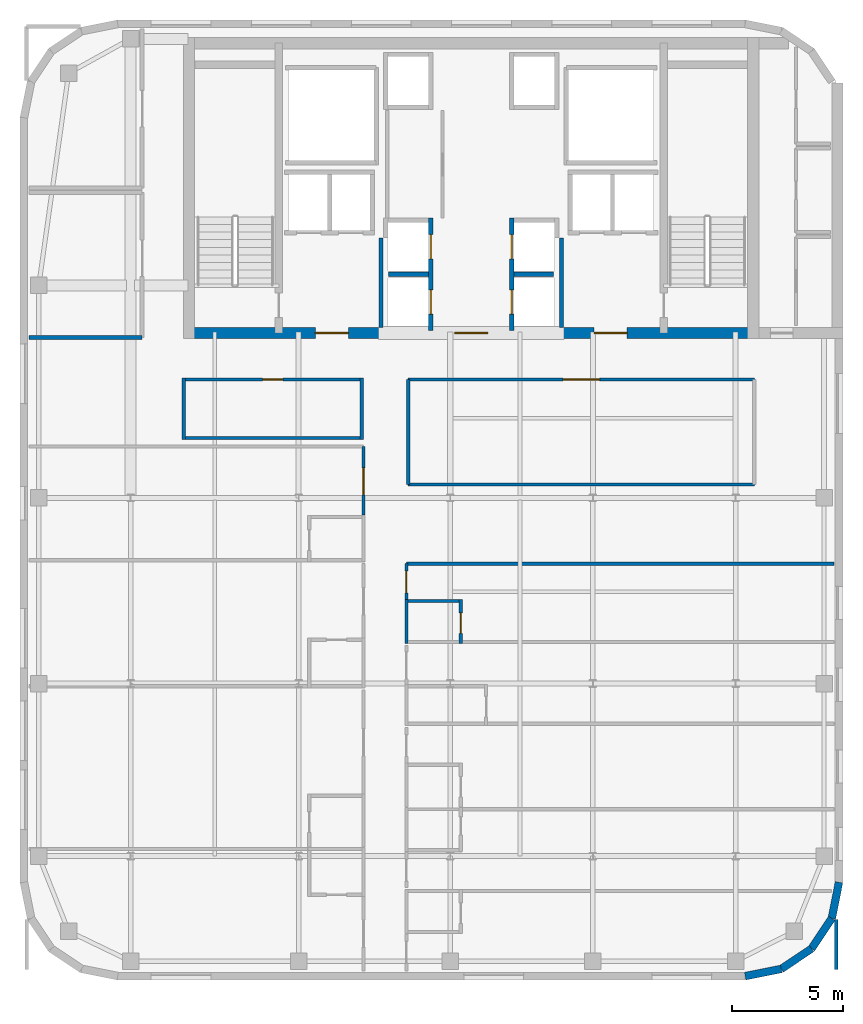
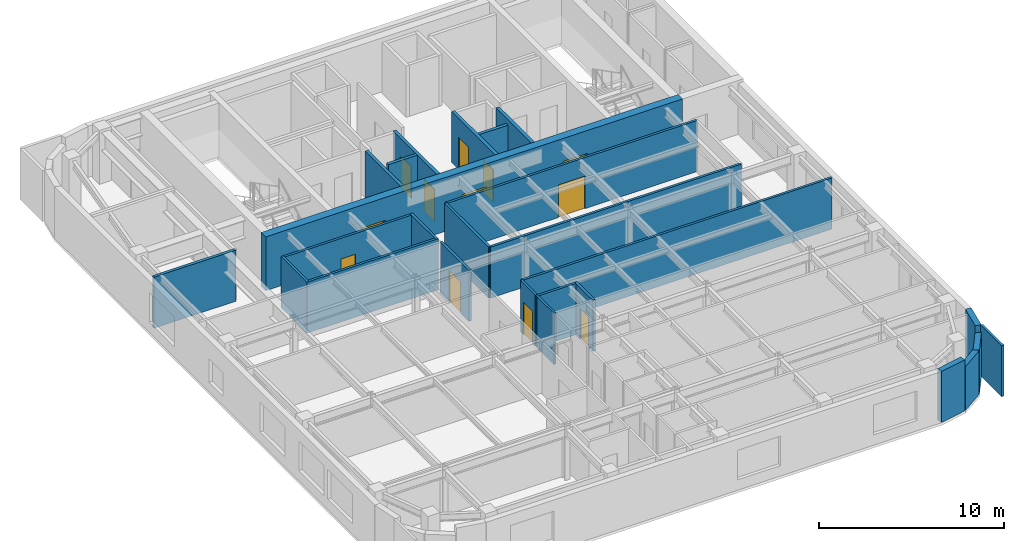
# One storey, part 5 of 9: 26 walls, 12 doors, 12 openings.
"""IFC4 building model written with IfcOpenShell, lengths in metres."""

from ifc_helpers import new_model, si_unit, direction, frame, frame_2d, origin, place, context, subcontext, project, spatial, rectangle, extrude, source, transform, mapped, material, layer, layer_set, type_object, type_shapes, element, fill, save


model = new_model("IFC4")

# Units and contexts
model_context = context("Model", 3, precision=1e-05, world=origin(), true_north=direction((0.0, 1.0)))
body_context = subcontext(model_context, "Body", "Model", "MODEL_VIEW")
ifc_project = project(units=[si_unit("LENGTHUNIT", "METRE"), si_unit("AREAUNIT", "SQUARE_METRE"), si_unit("VOLUMEUNIT", "CUBIC_METRE"), si_unit("PLANEANGLEUNIT", "RADIAN"), si_unit("MASSUNIT", "GRAM", prefix="KILO")], contexts=[model_context])

# Site, building, storey
site_placement = place(None, origin())
site = spatial("IfcSite", under=ifc_project, at=site_placement, CompositionType="ELEMENT")
building_placement = place(site_placement, origin())
building = spatial("IfcBuilding", under=site, at=building_placement, Name="Tolvann Quenvar Hotel", CompositionType="ELEMENT")
storey_placement = place(building_placement, frame((0.0, 0.0, 209.699951171875)))
storey = spatial("IfcBuildingStorey", under=building, at=storey_placement, Name="L55", CompositionType="ELEMENT", Elevation=209.699951171875)

# Wall, openings, doors
ifc_material_1 = material(Name="Concrete N50 (50 MPa)", Category="concrete")
ifc_layer_1 = layer(ifc_material_1, 0.5)
ifc_layer_set_1 = layer_set([ifc_layer_1], Name="Concrete N50 (50 MPa)")
wall_type_1 = type_object("IfcWallType", Name="WALL_CORE_500", PredefinedType="SHEAR", material=ifc_layer_set_1)
wall_1_placement = place(storey_placement, frame((10.0, 31.85009765625, 0.0), z_axis=(0.0, 0.0, 1.0), x_axis=(1.0, 0.0, 0.0)))
wall_1 = element("IfcWall", 1, at=wall_1_placement, inside=storey, type_object=wall_type_1, Name="Rear Core S Shear Wall (L55)", PredefinedType="SHEAR", context=body_context, shape_type="SweptSolid", body=[
    extrude(rectangle(XDim=26.0, YDim=0.5, at=frame_2d((13.0, 0.0))), origin(), (0.0, 0.0, 1.0), 3.550048828125),
])
opening_1_placement = place(wall_1_placement, frame((7.449951171875, 0.0, 0.0), z_axis=(0.0, 0.0, 1.0), x_axis=(-1.0, 0.0, 0.0)))
opening_1 = element("IfcOpeningElement", 2, at=opening_1_placement, cuts=wall_1, Name="Opening FD-60D", PredefinedType="OPENING", context=body_context, shape_type="SweptSolid", body=[
    extrude(rectangle(XDim=1.5, YDim=2.0400390625, at=frame_2d((0.75, 1.02001953125))), frame((0.0, 0.260009765625, 0.0), z_axis=(0.0, -1.0, 0.0), x_axis=(1.0, 0.0, 0.0)), (0.0, 0.0, 1.0), 0.52001953125),
])
opening_2_placement = place(wall_1_placement, frame((13.75, 0.0, 0.0), z_axis=(0.0, 0.0, 1.0), x_axis=(-1.0, 0.0, 0.0)))
opening_2 = element("IfcOpeningElement", 3, at=opening_2_placement, cuts=wall_1, Name="Opening FD-60D", PredefinedType="OPENING", context=body_context, shape_type="SweptSolid", body=[
    extrude(rectangle(XDim=1.5, YDim=2.0400390625, at=frame_2d((0.75, 1.02001953125))), frame((0.0, 0.260009765625, 0.0), z_axis=(0.0, -1.0, 0.0), x_axis=(1.0, 0.0, 0.0)), (0.0, 0.0, 1.0), 0.52001953125),
])
opening_3_placement = place(wall_1_placement, frame((20.050048828125, 0.0, 0.0), z_axis=(0.0, 0.0, 1.0), x_axis=(-1.0, 0.0, 0.0)))
opening_3 = element("IfcOpeningElement", 4, at=opening_3_placement, cuts=wall_1, Name="Opening FD-60D", PredefinedType="OPENING", context=body_context, shape_type="SweptSolid", body=[
    extrude(rectangle(XDim=1.5, YDim=2.0400390625, at=frame_2d((0.75, 1.02001953125))), frame((0.0, 0.260009765625, 0.0), z_axis=(0.0, -1.0, 0.0), x_axis=(1.0, 0.0, 0.0)), (0.0, 0.0, 1.0), 0.52001953125),
])
ifc_material_2 = material(Name="Solid-core American oak acoustic fire door leaf in steel frame", Category="steel")
door_type_1 = type_object("IfcDoorType", Name="DOOR_FIRE_LOBBY_1500", OperationType="NOTDEFINED", PredefinedType="DOOR", material=ifc_material_2)
shared_shape_1 = source(origin(), body_context, "Body", "SweptSolid", [
    extrude(rectangle(XDim=1.5, YDim=2.0400390625, at=frame_2d((0.75, 1.02001953125))), frame((0.0, 0.02490234375, 0.0), z_axis=(0.0, -1.0, 0.0), x_axis=(1.0, 0.0, 0.0)), (0.0, 0.0, 1.0), 0.050048828125),
])
type_shapes(door_type_1, [shared_shape_1])
door_1_placement = place(opening_1_placement, origin())
door_1 = element("IfcDoor", 5, at=door_1_placement, inside=storey, type_object=door_type_1, Name="Core Lobby Fire Door FFW (L55)", OperationType="DOUBLE_DOOR_SINGLE_SWING", OverallHeight=2.0400390625, OverallWidth=1.5, PredefinedType="DOOR", context=body_context, shape_type="MappedRepresentation", body=[
    mapped(shared_shape_1, transform((0.0, 0.0, 0.0), x_axis=(1.0, 0.0, 0.0), y_axis=(0.0, 1.0, 0.0), z_axis=(0.0, 0.0, 1.0), scale=1.0)),
])
fill(opening_1, door_1)
door_2_placement = place(opening_2_placement, origin())
door_2 = element("IfcDoor", 6, at=door_2_placement, inside=storey, type_object=door_type_1, Name="Core Lobby Fire Door CLOB (L55)", OperationType="DOUBLE_DOOR_SINGLE_SWING", OverallHeight=2.0400390625, OverallWidth=1.5, PredefinedType="DOOR", context=body_context, shape_type="MappedRepresentation", body=[
    mapped(shared_shape_1, transform((0.0, 0.0, 0.0), x_axis=(1.0, 0.0, 0.0), y_axis=(0.0, 1.0, 0.0), z_axis=(0.0, 0.0, 1.0), scale=1.0)),
])
fill(opening_2, door_2)
door_3_placement = place(opening_3_placement, origin())
door_3 = element("IfcDoor", 7, at=door_3_placement, inside=storey, type_object=door_type_1, Name="Core Lobby Fire Door FFE (L55)", OperationType="DOUBLE_DOOR_SINGLE_SWING", OverallHeight=2.0400390625, OverallWidth=1.5, PredefinedType="DOOR", context=body_context, shape_type="MappedRepresentation", body=[
    mapped(shared_shape_1, transform((0.0, 0.0, 0.0), x_axis=(1.0, 0.0, 0.0), y_axis=(0.0, 1.0, 0.0), z_axis=(0.0, 0.0, 1.0), scale=1.0)),
])
fill(opening_3, door_3)

# Walls
ifc_material_3 = material(Name="Kiln-fired red and buff architectural clay brickwork and terracotta masonry", Category="masonry")
ifc_layer_2 = layer(ifc_material_3, 0.35009765625)
ifc_layer_set_2 = layer_set([ifc_layer_2], Name="Kiln-fired red and buff architectural clay brickwork and terracotta masonry")
wall_type_2 = type_object("IfcWallType", Name="WALL_EXT_BRICK_350", PredefinedType="SOLIDWALL", material=ifc_layer_set_2)
wall_2_placement = place(storey_placement, frame((35.3828125, 2.77490234375, 0.0), z_axis=(0.0, 0.0, 1.0), x_axis=(0.980788844421, 0.195072403631, 0.0)))
element("IfcWall", 8, at=wall_2_placement, inside=storey, type_object=wall_type_2, Name="Exterior Chicago Brick Wall L55-E05", PredefinedType="SOLIDWALL", context=body_context, shape_type="SweptSolid", body=[
    extrude(rectangle(XDim=1.66455078125, YDim=0.35009765625, at=frame_2d((0.832275390625, 0.0))), origin(), (0.0, 0.0, 1.0), 3.3701171875),
])
for number, where, z_axis, x_axis, name in (
    (9, (37.015380859375, 3.099609375, 0.0), (0.0, 0.0, 1.0), (0.831434158098, 0.555623290322, 0.0), "Exterior Chicago Brick Wall L55-E06"),
    (10, (38.385009765625, 4.014892578125, 0.0), (0.0, 0.0, 1.0), (0.555623290322, 0.831434158098, 0.0), "Exterior Chicago Brick Wall L55-E07"),
):
    element("IfcWall", number, at=place(storey_placement, frame(where, z_axis=z_axis, x_axis=x_axis)), inside=storey, type_object=wall_type_2, Name=name, PredefinedType="SOLIDWALL", context=body_context, shape_type="SweptSolid", body=[
        extrude(rectangle(XDim=1.647216796875, YDim=0.35009765625, at=frame_2d((0.82373046875, 0.0))), origin(), (0.0, 0.0, 1.0), 2.900146484375),
    ])
wall_3_placement = place(storey_placement, frame((39.30029296875, 5.384521484375, 0.0), z_axis=(0.0, 0.0, 1.0), x_axis=(0.195072403631, 0.980788844421, 0.0)))
element("IfcWall", 11, at=wall_3_placement, inside=storey, type_object=wall_type_2, Name="Exterior Chicago Brick Wall L55-E08", PredefinedType="SOLIDWALL", context=body_context, shape_type="SweptSolid", body=[
    extrude(rectangle(XDim=1.66455078125, YDim=0.35009765625, at=frame_2d((0.832275390625, 0.0))), origin(), (0.0, 0.0, 1.0), 3.3701171875),
])
ifc_material_4 = material(Name="Acoustic twin-stud fire-rated gypsum plasterboard partition")
ifc_layer_3 = layer(ifc_material_4, 0.179931640625)
ifc_layer_set_3 = layer_set([ifc_layer_3], Name="Acoustic twin-stud fire-rated gypsum plasterboard partition")
wall_type_3 = type_object("IfcWallType", Name="WALL_PART_ACOUSTIC_180", PredefinedType="PARTITIONING", material=ifc_layer_set_3)
wall_4_placement = place(storey_placement, frame((3.0048828125, 31.64990234375, 0.0), z_axis=(0.0, 0.0, 1.0), x_axis=(1.0, 0.0, 0.0)))
element("IfcWall", 12, at=wall_4_placement, inside=storey, type_object=wall_type_3, Name="Interior Partition PT-SPC-L55-SAL-S", PredefinedType="PARTITIONING", context=body_context, shape_type="SweptSolid", body=[
    extrude(rectangle(XDim=5.115234375, YDim=0.179931640625, at=frame_2d((2.5576171875, 0.0))), origin(), (0.0, 0.0, 1.0), 3.3701171875),
])
ifc_material_5 = material(Name="Moisture-resistant acoustic plumbing wall assembly")
ifc_layer_4 = layer(ifc_material_5, 0.1201171875)
ifc_layer_set_4 = layer_set([ifc_layer_4], Name="Moisture-resistant acoustic plumbing wall assembly")
wall_type_4 = type_object("IfcWallType", Name="WALL_PART_BATH_120", PredefinedType="PLUMBINGWALL", material=ifc_layer_set_4)
wall_5_placement = place(storey_placement, frame((20.070068359375, 17.81005859375, 0.0), z_axis=(0.0, 0.0, 1.0), x_axis=(0.0, 1.0, 0.0)))
element("IfcWall", 13, at=wall_5_placement, inside=storey, type_object=wall_type_4, Name="Non-Rated Plumbing Partition PT-SPC-L55-ENS-EO05-W", PredefinedType="PLUMBINGWALL", context=body_context, shape_type="SweptSolid", body=[
    extrude(rectangle(XDim=1.989990234375, YDim=0.1201171875, at=frame_2d((0.9951171875, 0.0))), origin(), (0.0, 0.0, 1.0), 3.3701171875),
])

# Wall, opening, door
ifc_layer_5 = layer(ifc_material_4, 0.14990234375)
ifc_layer_set_5 = layer_set([ifc_layer_5], Name="Acoustic twin-stud fire-rated gypsum plasterboard partition")
wall_type_5 = type_object("IfcWallType", Name="WALL_PART_SUITE_150", PredefinedType="PARTITIONING", material=ifc_layer_set_5)
wall_6_placement = place(storey_placement, frame((22.52001953125, 17.81005859375, 0.0), z_axis=(0.0, 0.0, 1.0), x_axis=(0.0, 1.0, 0.0)))
wall_6 = element("IfcWall", 14, at=wall_6_placement, inside=storey, type_object=wall_type_5, Name="Interior Partition PT-SPC-L55-ENS-EO05-ENT", PredefinedType="PARTITIONING", context=body_context, shape_type="SweptSolid", body=[
    extrude(rectangle(XDim=1.989990234375, YDim=0.14990234375, at=frame_2d((0.9951171875, 0.0))), origin(), (0.0, 0.0, 1.0), 3.3701171875),
])
opening_4_placement = place(wall_6_placement, frame((0.465087890625, 0.0, 0.0)))
opening_4 = element("IfcOpeningElement", 15, at=opening_4_placement, cuts=wall_6, Name="Opening WD-01", PredefinedType="OPENING", context=body_context, shape_type="SweptSolid", body=[
    extrude(rectangle(XDim=0.919921875, YDim=2.010009765625, at=frame_2d((0.4599609375, 1.0048828125))), frame((0.0, 0.0849609375, 0.0), z_axis=(0.0, -1.0, 0.0), x_axis=(1.0, 0.0, 0.0)), (0.0, 0.0, 1.0), 0.169921875),
])
door_type_2 = type_object("IfcDoorType", Name="DOOR_WC_920", OperationType="NOTDEFINED", PredefinedType="DOOR", material=ifc_material_2)
shared_shape_2 = source(origin(), body_context, "Body", "SweptSolid", [
    extrude(rectangle(XDim=0.919921875, YDim=2.010009765625, at=frame_2d((0.4599609375, 1.0048828125))), frame((0.0, 0.02490234375, 0.0), z_axis=(0.0, -1.0, 0.0), x_axis=(1.0, 0.0, 0.0)), (0.0, 0.0, 1.0), 0.050048828125),
])
type_shapes(door_type_2, [shared_shape_2])
door_4_placement = place(opening_4_placement, origin())
door_4 = element("IfcDoor", 16, at=door_4_placement, inside=storey, type_object=door_type_2, Name="Interior Door DOOR-SPC-L55-ENS-EO05", OperationType="SINGLE_SWING_LEFT", OverallHeight=2.010009765625, OverallWidth=0.919921875, PredefinedType="DOOR", context=body_context, shape_type="MappedRepresentation", body=[
    mapped(shared_shape_2, transform((0.0, 0.0, 0.0), x_axis=(1.0, 0.0, 0.0), y_axis=(0.0, 1.0, 0.0), z_axis=(0.0, 0.0, 1.0), scale=1.0)),
])
fill(opening_4, door_4)

# Wall
wall_7_placement = place(storey_placement, frame((20.0, 19.72998046875, 0.0), z_axis=(0.0, 0.0, 1.0), x_axis=(1.0, 0.0, 0.0)))
element("IfcWall", 17, at=wall_7_placement, inside=storey, type_object=wall_type_5, Name="Interior Partition PT-SPC-L55-ENS-EO05-N", PredefinedType="PARTITIONING", context=body_context, shape_type="SweptSolid", body=[
    extrude(rectangle(XDim=2.590087890625, YDim=0.14990234375, at=frame_2d((1.294921875, 0.0))), origin(), (0.0, 0.0, 1.0), 3.3701171875),
])

# Wall, opening, door
wall_8_placement = place(storey_placement, frame((18.1298828125, 23.613037109375, 0.0), z_axis=(0.0, 0.0, 1.0), x_axis=(0.0, 1.0, 0.0)))
wall_8 = element("IfcWall", 18, at=wall_8_placement, inside=storey, type_object=wall_type_5, Name="Interior Partition PT-SPC-L55-RM-WO04-ENT", PredefinedType="PARTITIONING", context=body_context, shape_type="SweptSolid", body=[
    extrude(rectangle(XDim=3.10693359375, YDim=0.14990234375, at=frame_2d((1.553466796875, 0.0))), origin(), (0.0, 0.0, 1.0), 3.3701171875),
])
opening_5_placement = place(wall_8_placement, frame((0.923583984375, 0.0, 0.0)))
opening_5 = element("IfcOpeningElement", 19, at=opening_5_placement, cuts=wall_8, Name="Opening SD-02", PredefinedType="OPENING", context=body_context, shape_type="SweptSolid", body=[
    extrude(rectangle(XDim=1.219970703125, YDim=2.080078125, at=frame_2d((0.60986328125, 1.0400390625))), frame((0.0, 0.0849609375, 0.0), z_axis=(0.0, -1.0, 0.0), x_axis=(1.0, 0.0, 0.0)), (0.0, 0.0, 1.0), 0.169921875),
])
door_type_3 = type_object("IfcDoorType", Name="DOOR_VIP_1220", OperationType="NOTDEFINED", PredefinedType="DOOR", material=ifc_material_2)
shared_shape_3 = source(origin(), body_context, "Body", "SweptSolid", [
    extrude(rectangle(XDim=1.219970703125, YDim=2.080078125, at=frame_2d((0.60986328125, 1.0400390625))), frame((0.0, 0.02490234375, 0.0), z_axis=(0.0, -1.0, 0.0), x_axis=(1.0, 0.0, 0.0)), (0.0, 0.0, 1.0), 0.050048828125),
])
type_shapes(door_type_3, [shared_shape_3])
door_5_placement = place(opening_5_placement, origin())
door_5 = element("IfcDoor", 20, at=door_5_placement, inside=storey, type_object=door_type_3, Name="Interior Door DOOR-SPC-L55-RM-WO04", OperationType="SINGLE_SWING_LEFT", OverallHeight=2.080078125, OverallWidth=1.219970703125, PredefinedType="DOOR", context=body_context, shape_type="MappedRepresentation", body=[
    mapped(shared_shape_3, transform((0.0, 0.0, 0.0), x_axis=(1.0, 0.0, 0.0), y_axis=(0.0, 1.0, 0.0), z_axis=(0.0, 0.0, 1.0), scale=1.0)),
])
fill(opening_5, door_5)

# Wall
wall_9_placement = place(storey_placement, frame((39.5, 3.080078125, 0.0), z_axis=(0.0, 0.0, 1.0), x_axis=(0.0, 1.0, 0.0)))
element("IfcWall", 21, at=wall_9_placement, inside=storey, type_object=wall_type_5, Name="Interior Partition PT-SPC-L55-RM-EO01-E2", PredefinedType="PARTITIONING", context=body_context, shape_type="SweptSolid", body=[
    extrude(rectangle(XDim=2.264892578125, YDim=0.14990234375, at=frame_2d((1.13232421875, 0.0))), origin(), (0.0, 0.0, 1.0), 3.3701171875),
])

# Wall, opening, door
wall_10_placement = place(storey_placement, frame((20.070068359375, 19.81005859375, 0.0), z_axis=(0.0, 0.0, 1.0), x_axis=(0.0, 1.0, 0.0)))
wall_10 = element("IfcWall", 22, at=wall_10_placement, inside=storey, type_object=wall_type_5, Name="Interior Partition PT-SPC-L55-RM-EO05-ENT", PredefinedType="PARTITIONING", context=body_context, shape_type="SweptSolid", body=[
    extrude(rectangle(XDim=1.60986328125, YDim=0.14990234375, at=frame_2d((0.804931640625, 0.0))), origin(), (0.0, 0.0, 1.0), 3.3701171875),
])
opening_6_placement = place(wall_10_placement, frame((0.294921875, 0.0, 0.0)))
opening_6 = element("IfcOpeningElement", 23, at=opening_6_placement, cuts=wall_10, Name="Opening SD-01", PredefinedType="OPENING", context=body_context, shape_type="SweptSolid", body=[
    extrude(rectangle(XDim=0.97998046875, YDim=2.1201171875, at=frame_2d((0.489990234375, 1.06005859375))), frame((0.0, 0.0849609375, 0.0), z_axis=(0.0, -1.0, 0.0), x_axis=(1.0, 0.0, 0.0)), (0.0, 0.0, 1.0), 0.169921875),
])
door_type_4 = type_object("IfcDoorType", Name="DOOR_SUITE_980", OperationType="NOTDEFINED", PredefinedType="DOOR", material=ifc_material_2)
shared_shape_4 = source(origin(), body_context, "Body", "SweptSolid", [
    extrude(rectangle(XDim=0.97998046875, YDim=2.1201171875, at=frame_2d((0.489990234375, 1.06005859375))), frame((0.0, 0.02490234375, 0.0), z_axis=(0.0, -1.0, 0.0), x_axis=(1.0, 0.0, 0.0)), (0.0, 0.0, 1.0), 0.050048828125),
])
type_shapes(door_type_4, [shared_shape_4])
door_6_placement = place(opening_6_placement, origin())
door_6 = element("IfcDoor", 24, at=door_6_placement, inside=storey, type_object=door_type_4, Name="Interior Door DOOR-SPC-L55-RM-EO05", OperationType="SINGLE_SWING_RIGHT", OverallHeight=2.1201171875, OverallWidth=0.97998046875, PredefinedType="DOOR", context=body_context, shape_type="MappedRepresentation", body=[
    mapped(shared_shape_4, transform((0.0, 0.0, 0.0), x_axis=(1.0, 0.0, 0.0), y_axis=(0.0, 1.0, 0.0), z_axis=(0.0, 0.0, 1.0), scale=1.0)),
])
fill(opening_6, door_6)

# Walls
wall_11_placement = place(storey_placement, frame((20.070068359375, 21.419921875, 0.0), z_axis=(0.0, 0.0, 1.0), x_axis=(1.0, 0.0, 0.0)))
element("IfcWall", 25, at=wall_11_placement, inside=storey, type_object=wall_type_5, Name="Interior Partition PT-SPC-L55-RM-EO05-E5", PredefinedType="PARTITIONING", context=body_context, shape_type="SweptSolid", body=[
    extrude(rectangle(XDim=19.324951171875, YDim=0.14990234375, at=frame_2d((9.66259765625, 0.0))), origin(), (0.0, 0.0, 1.0), 3.3701171875),
])
wall_12_placement = place(storey_placement, frame((9.929931640625, 27.10009765625, 0.0), z_axis=(0.0, 0.0, 1.0), x_axis=(1.0, 0.0, 0.0)))
element("IfcWall", 26, at=wall_12_placement, inside=storey, type_object=wall_type_5, Name="Interior Partition PT-SPC-L55-WCA-S", PredefinedType="PARTITIONING", context=body_context, shape_type="SweptSolid", body=[
    extrude(rectangle(XDim=8.190185546875, YDim=0.14990234375, at=frame_2d((4.09521484375, 0.0))), origin(), (0.0, 0.0, 1.0), 3.3701171875),
])

# Wall, opening, door
wall_13_placement = place(storey_placement, frame((9.929931640625, 29.75, 0.0), z_axis=(0.0, 0.0, 1.0), x_axis=(1.0, 0.0, 0.0)))
wall_13 = element("IfcWall", 27, at=wall_13_placement, inside=storey, type_object=wall_type_5, Name="Interior Partition PT-SPC-L55-WCA-N", PredefinedType="PARTITIONING", context=body_context, shape_type="SweptSolid", body=[
    extrude(rectangle(XDim=8.190185546875, YDim=0.14990234375, at=frame_2d((4.09521484375, 0.0))), origin(), (0.0, 0.0, 1.0), 3.3701171875),
])
opening_7_placement = place(wall_13_placement, frame((3.635009765625, 0.0, 0.0)))
opening_7 = element("IfcOpeningElement", 28, at=opening_7_placement, cuts=wall_13, Name="Opening WD-01", PredefinedType="OPENING", context=body_context, shape_type="SweptSolid", body=[
    extrude(rectangle(XDim=0.919921875, YDim=2.010009765625, at=frame_2d((0.4599609375, 1.0048828125))), frame((0.0, 0.0849609375, 0.0), z_axis=(0.0, -1.0, 0.0), x_axis=(1.0, 0.0, 0.0)), (0.0, 0.0, 1.0), 0.169921875),
])
door_7_placement = place(opening_7_placement, origin())
door_7 = element("IfcDoor", 29, at=door_7_placement, inside=storey, type_object=door_type_2, Name="Interior Door DOOR-SPC-L55-WCA", OperationType="SINGLE_SWING_LEFT", OverallHeight=2.010009765625, OverallWidth=0.919921875, PredefinedType="DOOR", context=body_context, shape_type="MappedRepresentation", body=[
    mapped(shared_shape_2, transform((0.0, 0.0, 0.0), x_axis=(1.0, 0.0, 0.0), y_axis=(0.0, 1.0, 0.0), z_axis=(0.0, 0.0, 1.0), scale=1.0)),
])
fill(opening_7, door_7)

# Walls
for number, where, z_axis, x_axis, name in (
    (30, (10.0, 27.030029296875, 0.0), (0.0, 0.0, 1.0), (0.0, 1.0, 0.0), "Interior Partition PT-SPC-L55-WCA-W"),
    (31, (18.050048828125, 27.030029296875, 0.0), (0.0, 0.0, 1.0), (0.0, 1.0, 0.0), "Interior Partition PT-SPC-L55-WCA-E"),
):
    element("IfcWall", number, at=place(storey_placement, frame(where, z_axis=z_axis, x_axis=x_axis)), inside=storey, type_object=wall_type_5, Name=name, PredefinedType="PARTITIONING", context=body_context, shape_type="SweptSolid", body=[
        extrude(rectangle(XDim=2.7900390625, YDim=0.14990234375, at=frame_2d((1.39501953125, 0.0))), origin(), (0.0, 0.0, 1.0), 3.3701171875),
    ])
wall_14_placement = place(storey_placement, frame((20.14990234375, 25.0, 0.0), z_axis=(0.0, 0.0, 1.0), x_axis=(1.0, 0.0, 0.0)))
element("IfcWall", 32, at=wall_14_placement, inside=storey, type_object=wall_type_5, Name="Interior Partition PT-SPC-L55-LOUNGE-S", PredefinedType="PARTITIONING", context=body_context, shape_type="SweptSolid", body=[
    extrude(rectangle(XDim=15.650146484375, YDim=0.14990234375, at=frame_2d((7.8251953125, 0.0))), origin(), (0.0, 0.0, 1.0), 3.3701171875),
])

# Wall, opening, door
wall_15_placement = place(storey_placement, frame((20.14990234375, 29.75, 0.0), z_axis=(0.0, 0.0, 1.0), x_axis=(1.0, 0.0, 0.0)))
wall_15 = element("IfcWall", 33, at=wall_15_placement, inside=storey, type_object=wall_type_5, Name="Interior Partition PT-SPC-L55-LOUNGE-N", PredefinedType="PARTITIONING", context=body_context, shape_type="SweptSolid", body=[
    extrude(rectangle(XDim=15.650146484375, YDim=0.14990234375, at=frame_2d((7.8251953125, 0.0))), origin(), (0.0, 0.0, 1.0), 3.3701171875),
])
opening_8_placement = place(wall_15_placement, frame((7.0, 0.0, 0.0)))
opening_8 = element("IfcOpeningElement", 34, at=opening_8_placement, cuts=wall_15, Name="Opening AD-01", PredefinedType="OPENING", context=body_context, shape_type="SweptSolid", body=[
    extrude(rectangle(XDim=1.64990234375, YDim=2.14990234375, at=frame_2d((0.824951171875, 1.074951171875))), frame((0.0, 0.0849609375, 0.0), z_axis=(0.0, -1.0, 0.0), x_axis=(1.0, 0.0, 0.0)), (0.0, 0.0, 1.0), 0.169921875),
])
door_type_5 = type_object("IfcDoorType", Name="DOOR_SALON_1650", OperationType="NOTDEFINED", PredefinedType="DOOR", material=ifc_material_2)
shared_shape_5 = source(origin(), body_context, "Body", "SweptSolid", [
    extrude(rectangle(XDim=1.64990234375, YDim=2.14990234375, at=frame_2d((0.824951171875, 1.074951171875))), frame((0.0, 0.02490234375, 0.0), z_axis=(0.0, -1.0, 0.0), x_axis=(1.0, 0.0, 0.0)), (0.0, 0.0, 1.0), 0.050048828125),
])
type_shapes(door_type_5, [shared_shape_5])
door_8_placement = place(opening_8_placement, origin())
door_8 = element("IfcDoor", 35, at=door_8_placement, inside=storey, type_object=door_type_5, Name="Interior Door DOOR-SPC-L55-LOUNGE", OperationType="DOUBLE_DOOR_SINGLE_SWING", OverallHeight=2.14990234375, OverallWidth=1.64990234375, PredefinedType="DOOR", context=body_context, shape_type="MappedRepresentation", body=[
    mapped(shared_shape_5, transform((0.0, 0.0, 0.0), x_axis=(1.0, 0.0, 0.0), y_axis=(0.0, 1.0, 0.0), z_axis=(0.0, 0.0, 1.0), scale=1.0)),
])
fill(opening_8, door_8)

# Walls
wall_16_placement = place(storey_placement, frame((20.14990234375, 25.0, 0.0), z_axis=(0.0, 0.0, 1.0), x_axis=(0.0, 1.0, 0.0)))
element("IfcWall", 36, at=wall_16_placement, inside=storey, type_object=wall_type_5, Name="Interior Partition PT-SPC-L55-LOUNGE-W", PredefinedType="PARTITIONING", context=body_context, shape_type="SweptSolid", body=[
    extrude(rectangle(XDim=4.75, YDim=0.14990234375, at=frame_2d((2.375, 0.0))), origin(), (0.0, 0.0, 1.0), 3.3701171875),
])
ifc_material_6 = material(Name="Concrete N40 (40 MPa)", Category="concrete")
ifc_layer_6 = layer(ifc_material_6, 0.199951171875)
ifc_layer_set_6 = layer_set([ifc_layer_6], Name="Concrete N40 (40 MPa)")
wall_type_6 = type_object("IfcWallType", Name="WALL_SHAFT_200", PredefinedType="SOLIDWALL", material=ifc_layer_set_6)
for number, where, z_axis, x_axis, name in (
    (37, (18.919921875, 32.10400390625, 0.0), (0.0, 0.0, 1.0), (0.0, 1.0, 0.0), "Firefighting Lobby W Inner Fire Wall (L55)"),
    (38, (27.080078125, 32.10400390625, 0.0), (0.0, 0.0, 1.0), (0.0, 1.0, 0.0), "Firefighting Lobby E Inner Fire Wall (L55)"),
):
    element("IfcWall", number, at=place(storey_placement, frame(where, z_axis=z_axis, x_axis=x_axis)), inside=storey, type_object=wall_type_6, Name=name, PredefinedType="SOLIDWALL", context=body_context, shape_type="SweptSolid", body=[
        extrude(rectangle(XDim=4.0458984375, YDim=0.199951171875, at=frame_2d((2.02294921875, 0.0))), origin(), (0.0, 0.0, 1.0), 3.3701171875),
    ])

# Wall, openings, doors
wall_17_placement = place(storey_placement, frame((21.169921875, 31.9599609375, 0.0), z_axis=(0.0, 0.0, 1.0), x_axis=(0.0, 1.0, 0.0)))
wall_17 = element("IfcWall", 39, at=wall_17_placement, inside=storey, type_object=wall_type_6, Name="Lift Bank E21.1C1 Hoistway Front Wall (L55)", PredefinedType="SOLIDWALL", context=body_context, shape_type="SweptSolid", body=[
    extrude(rectangle(XDim=5.080078125, YDim=0.199951171875, at=frame_2d((2.5400390625, 0.0))), origin(), (0.0, 0.0, 1.0), 3.3701171875),
])
opening_9_placement = place(wall_17_placement, frame((0.739990234375, 0.0, 0.0)))
opening_9 = element("IfcOpeningElement", 40, at=opening_9_placement, cuts=wall_17, Name="Opening LD-01", PredefinedType="OPENING", context=body_context, shape_type="SweptSolid", body=[
    extrude(rectangle(XDim=1.10009765625, YDim=2.1201171875, at=frame_2d((0.550048828125, 1.06005859375))), frame((0.0, 0.10986328125, 0.0), z_axis=(0.0, -1.0, 0.0), x_axis=(1.0, 0.0, 0.0)), (0.0, 0.0, 1.0), 0.219970703125),
])
opening_10_placement = place(wall_17_placement, frame((3.239990234375, 0.0, 0.0)))
opening_10 = element("IfcOpeningElement", 41, at=opening_10_placement, cuts=wall_17, Name="Opening LD-01", PredefinedType="OPENING", context=body_context, shape_type="SweptSolid", body=[
    extrude(rectangle(XDim=1.10009765625, YDim=2.1201171875, at=frame_2d((0.550048828125, 1.06005859375))), frame((0.0, 0.10986328125, 0.0), z_axis=(0.0, -1.0, 0.0), x_axis=(1.0, 0.0, 0.0)), (0.0, 0.0, 1.0), 0.219970703125),
])
ifc_material_7 = material(Name="Brushed 316 stainless steel automatic sliding lift landing door", Category="steel")
door_type_6 = type_object("IfcDoorType", Name="DOOR_LIFT_SLIDE_1100", OperationType="NOTDEFINED", PredefinedType="DOOR", material=ifc_material_7)
shared_shape_6 = source(origin(), body_context, "Body", "SweptSolid", [
    extrude(rectangle(XDim=1.10009765625, YDim=2.1201171875, at=frame_2d((0.550048828125, 1.06005859375))), frame((0.0, 0.02490234375, 0.0), z_axis=(0.0, -1.0, 0.0), x_axis=(1.0, 0.0, 0.0)), (0.0, 0.0, 1.0), 0.050048828125),
])
type_shapes(door_type_6, [shared_shape_6])
door_9_placement = place(opening_9_placement, origin())
door_9 = element("IfcDoor", 42, at=door_9_placement, inside=storey, type_object=door_type_6, Name="Lift PH-1 Sliding Landing Door (L55)", OperationType="SLIDING_TO_LEFT", OverallHeight=2.1201171875, OverallWidth=1.10009765625, PredefinedType="DOOR", context=body_context, shape_type="MappedRepresentation", body=[
    mapped(shared_shape_6, transform((0.0, 0.0, 0.0), x_axis=(1.0, 0.0, 0.0), y_axis=(0.0, 1.0, 0.0), z_axis=(0.0, 0.0, 1.0), scale=1.0)),
])
fill(opening_9, door_9)
door_10_placement = place(opening_10_placement, origin())
door_10 = element("IfcDoor", 43, at=door_10_placement, inside=storey, type_object=door_type_6, Name="Lift PH-2 Sliding Landing Door (L55)", OperationType="SLIDING_TO_RIGHT", OverallHeight=2.1201171875, OverallWidth=1.10009765625, PredefinedType="DOOR", context=body_context, shape_type="MappedRepresentation", body=[
    mapped(shared_shape_6, transform((0.0, 0.0, 0.0), x_axis=(1.0, 0.0, 0.0), y_axis=(0.0, 1.0, 0.0), z_axis=(0.0, 0.0, 1.0), scale=1.0)),
])
fill(opening_10, door_10)

# Wall
wall_18_placement = place(storey_placement, frame((19.27001953125, 34.5, 0.0), z_axis=(0.0, 0.0, 1.0), x_axis=(1.0, 0.0, 0.0)))
element("IfcWall", 44, at=wall_18_placement, inside=storey, type_object=wall_type_6, Name="Lift Bank E21.1C1 Divider Wall 1 (L55)", PredefinedType="SOLIDWALL", context=body_context, shape_type="SweptSolid", body=[
    extrude(rectangle(XDim=1.800048828125, YDim=0.199951171875, at=frame_2d((0.89990234375, 0.0))), origin(), (0.0, 0.0, 1.0), 3.3701171875),
])

# Wall, openings, doors
wall_19_placement = place(storey_placement, frame((24.830078125, 31.9599609375, 0.0), z_axis=(0.0, 0.0, 1.0), x_axis=(0.0, 1.0, 0.0)))
wall_19 = element("IfcWall", 45, at=wall_19_placement, inside=storey, type_object=wall_type_6, Name="Lift Bank W24.9C1 Hoistway Front Wall (L55)", PredefinedType="SOLIDWALL", context=body_context, shape_type="SweptSolid", body=[
    extrude(rectangle(XDim=5.080078125, YDim=0.199951171875, at=frame_2d((2.5400390625, 0.0))), origin(), (0.0, 0.0, 1.0), 3.3701171875),
])
opening_11_placement = place(wall_19_placement, frame((0.739990234375, 0.0, 0.0)))
opening_11 = element("IfcOpeningElement", 46, at=opening_11_placement, cuts=wall_19, Name="Opening LD-01", PredefinedType="OPENING", context=body_context, shape_type="SweptSolid", body=[
    extrude(rectangle(XDim=1.10009765625, YDim=2.1201171875, at=frame_2d((0.550048828125, 1.06005859375))), frame((0.0, 0.10986328125, 0.0), z_axis=(0.0, -1.0, 0.0), x_axis=(1.0, 0.0, 0.0)), (0.0, 0.0, 1.0), 0.219970703125),
])
opening_12_placement = place(wall_19_placement, frame((3.239990234375, 0.0, 0.0)))
opening_12 = element("IfcOpeningElement", 47, at=opening_12_placement, cuts=wall_19, Name="Opening LD-01", PredefinedType="OPENING", context=body_context, shape_type="SweptSolid", body=[
    extrude(rectangle(XDim=1.10009765625, YDim=2.1201171875, at=frame_2d((0.550048828125, 1.06005859375))), frame((0.0, 0.10986328125, 0.0), z_axis=(0.0, -1.0, 0.0), x_axis=(1.0, 0.0, 0.0)), (0.0, 0.0, 1.0), 0.219970703125),
])
door_11_placement = place(opening_11_placement, origin())
door_11 = element("IfcDoor", 48, at=door_11_placement, inside=storey, type_object=door_type_6, Name="Lift PH-3 Sliding Landing Door (L55)", OperationType="SLIDING_TO_LEFT", OverallHeight=2.1201171875, OverallWidth=1.10009765625, PredefinedType="DOOR", context=body_context, shape_type="MappedRepresentation", body=[
    mapped(shared_shape_6, transform((0.0, 0.0, 0.0), x_axis=(1.0, 0.0, 0.0), y_axis=(0.0, 1.0, 0.0), z_axis=(0.0, 0.0, 1.0), scale=1.0)),
])
fill(opening_11, door_11)
door_12_placement = place(opening_12_placement, origin())
door_12 = element("IfcDoor", 49, at=door_12_placement, inside=storey, type_object=door_type_6, Name="Lift PH-4 Sliding Landing Door (L55)", OperationType="SLIDING_TO_RIGHT", OverallHeight=2.1201171875, OverallWidth=1.10009765625, PredefinedType="DOOR", context=body_context, shape_type="MappedRepresentation", body=[
    mapped(shared_shape_6, transform((0.0, 0.0, 0.0), x_axis=(1.0, 0.0, 0.0), y_axis=(0.0, 1.0, 0.0), z_axis=(0.0, 0.0, 1.0), scale=1.0)),
])
fill(opening_12, door_12)

# Wall
wall_20_placement = place(storey_placement, frame((24.929931640625, 34.5, 0.0), z_axis=(0.0, 0.0, 1.0), x_axis=(1.0, 0.0, 0.0)))
element("IfcWall", 50, at=wall_20_placement, inside=storey, type_object=wall_type_6, Name="Lift Bank W24.9C1 Divider Wall 1 (L55)", PredefinedType="SOLIDWALL", context=body_context, shape_type="SweptSolid", body=[
    extrude(rectangle(XDim=1.800048828125, YDim=0.199951171875, at=frame_2d((0.89990234375, 0.0))), origin(), (0.0, 0.0, 1.0), 3.3701171875),
])

save(model, "model.ifc")
